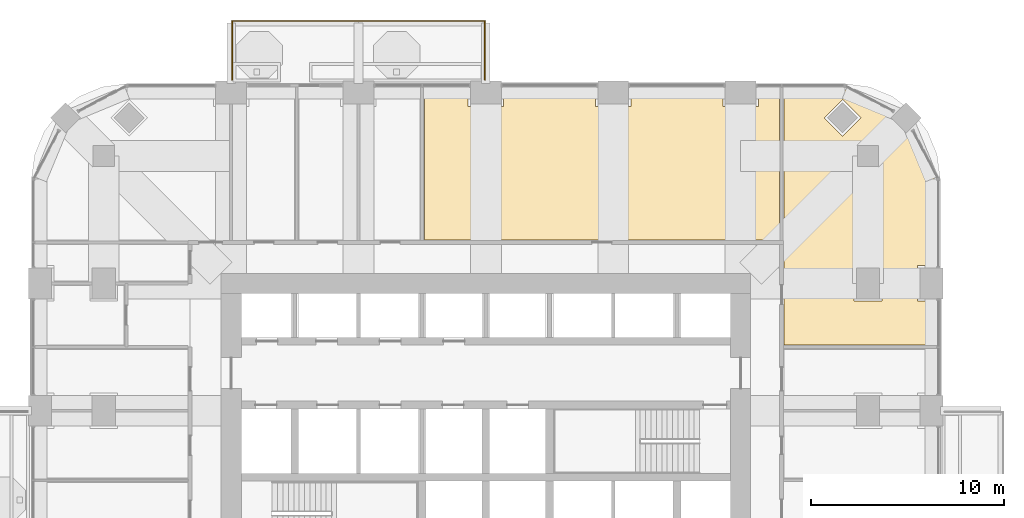
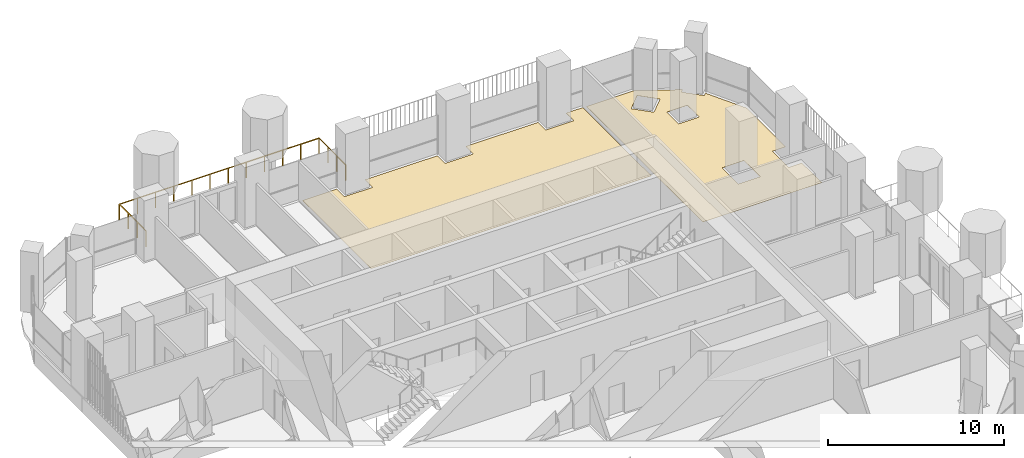
# One storey, part 19 of 20: 2 coverings, 1 railing.
"""IFC4 building model written with IfcOpenShell, lengths in metres."""

from ifc_helpers import new_model, si_unit, direction, frame, origin, place, context, subcontext, project, spatial, polyline, outline, extrude, material, layer, layer_set, type_object, element, save


model = new_model("IFC4")

# Units and contexts
model_context = context("Model", 3, precision=1e-05, world=origin(), true_north=direction((0.0, 1.0)))
body_context = subcontext(model_context, "Body", "Model", "MODEL_VIEW")
ifc_project = project(units=[si_unit("LENGTHUNIT", "METRE"), si_unit("AREAUNIT", "SQUARE_METRE"), si_unit("VOLUMEUNIT", "CUBIC_METRE"), si_unit("PLANEANGLEUNIT", "RADIAN"), si_unit("MASSUNIT", "GRAM", prefix="KILO")], contexts=[model_context])

# Site, building, storey
site_placement = place(None, origin())
site = spatial("IfcSite", under=ifc_project, at=site_placement, CompositionType="ELEMENT")
building_placement = place(site_placement, origin())
building = spatial("IfcBuilding", under=site, at=building_placement, Name="Cobogo Forest Laboratory Tower", CompositionType="ELEMENT")
storey_placement = place(building_placement, frame((0.0, 0.0, 201.89990234375)))
storey = spatial("IfcBuildingStorey", under=building, at=storey_placement, Name="L46", CompositionType="ELEMENT", Elevation=201.89990234375)

# Railing
ifc_material_1 = material(Name="Laminated glass balustrade", Category="glass")
railing_type = type_object("IfcRailingType", Name="BG1 glass balustrade 1100", PredefinedType="GUARDRAIL", material=ifc_material_1)
railing_placement = place(storey_placement, frame((13.25, 43.550048828125, 0.0)))
element("IfcRailing", 1, at=railing_placement, inside=storey, type_object=railing_type, Name="Balcony balustrade BAL-N1 L46", PredefinedType="GUARDRAIL", context=body_context, shape_type="SweptSolid", body=[
    extrude(outline(polyline([(0.022216796875, 0.00927734375), (0.00927734375, 0.022216796875), (-0.00927734375, 0.022216796875), (-0.022216796875, 0.00927734375), (-0.022216796875, -0.00927734375), (-0.00927734375, -0.022216796875), (0.00927734375, -0.022216796875), (0.022216796875, -0.00927734375), (0.022216796875, 0.00927734375)])), frame((0.0, 0.0, 1.077880859375), z_axis=(0.0, 1.0, 0.0), x_axis=(-1.0, 0.0, 0.0)), (0.0, 0.0, 1.0), 3.050048828125),
    extrude(outline(polyline([(0.022216796875, 0.00927734375), (0.00927734375, 0.022216796875), (-0.00927734375, 0.022216796875), (-0.022216796875, 0.00927734375), (-0.022216796875, -0.00927734375), (-0.00927734375, -0.022216796875), (0.00927734375, -0.022216796875), (0.022216796875, -0.00927734375), (0.022216796875, 0.00927734375)])), frame((0.0, 3.050048828125, 1.077880859375), z_axis=(1.0, 0.0, 0.0), x_axis=(0.0, 1.0, 0.0)), (0.0, 0.0, 1.0), 13.10009765625),
    extrude(outline(polyline([(0.022216796875, 0.00927734375), (0.00927734375, 0.022216796875), (-0.00927734375, 0.022216796875), (-0.022216796875, 0.00927734375), (-0.022216796875, -0.00927734375), (-0.00927734375, -0.022216796875), (0.00927734375, -0.022216796875), (0.022216796875, -0.00927734375), (0.022216796875, 0.00927734375)])), frame((13.10009765625, 3.050048828125, 1.077880859375), z_axis=(0.0, -1.0, 0.0), x_axis=(1.0, 0.0, 0.0)), (0.0, 0.0, 1.0), 3.050048828125),
    extrude(outline(polyline([(0.019287109375, 0.008056640625), (0.008056640625, 0.019287109375), (-0.008056640625, 0.019287109375), (-0.019287109375, 0.008056640625), (-0.019287109375, -0.008056640625), (-0.008056640625, -0.019287109375), (0.008056640625, -0.019287109375), (0.019287109375, -0.008056640625), (0.019287109375, 0.008056640625)])), origin(), (0.0, 0.0, 1.0), 1.077880859375),
    extrude(outline(polyline([(0.019287109375, 0.008056640625), (0.008056640625, 0.019287109375), (-0.008056640625, 0.019287109375), (-0.019287109375, 0.008056640625), (-0.019287109375, -0.008056640625), (-0.008056640625, -0.019287109375), (0.008056640625, -0.019287109375), (0.019287109375, -0.008056640625), (0.019287109375, 0.008056640625)])), frame((0.0, 1.0166015625, 0.0)), (0.0, 0.0, 1.0), 1.077880859375),
    extrude(outline(polyline([(0.019287109375, 0.008056640625), (0.008056640625, 0.019287109375), (-0.008056640625, 0.019287109375), (-0.019287109375, 0.008056640625), (-0.019287109375, -0.008056640625), (-0.008056640625, -0.019287109375), (0.008056640625, -0.019287109375), (0.019287109375, -0.008056640625), (0.019287109375, 0.008056640625)])), frame((0.0, 2.033447265625, 0.0)), (0.0, 0.0, 1.0), 1.077880859375),
    extrude(outline(polyline([(0.019287109375, 0.008056640625), (0.008056640625, 0.019287109375), (-0.008056640625, 0.019287109375), (-0.019287109375, 0.008056640625), (-0.019287109375, -0.008056640625), (-0.008056640625, -0.019287109375), (0.008056640625, -0.019287109375), (0.019287109375, -0.008056640625), (0.019287109375, 0.008056640625)])), frame((0.0, 3.050048828125, 0.0)), (0.0, 0.0, 1.0), 1.077880859375),
    extrude(outline(polyline([(0.019287109375, 0.008056640625), (0.008056640625, 0.019287109375), (-0.008056640625, 0.019287109375), (-0.019287109375, 0.008056640625), (-0.019287109375, -0.008056640625), (-0.008056640625, -0.019287109375), (0.008056640625, -0.019287109375), (0.019287109375, -0.008056640625), (0.019287109375, 0.008056640625)])), frame((1.19091796875, 3.050048828125, 0.0)), (0.0, 0.0, 1.0), 1.077880859375),
    extrude(outline(polyline([(0.019287109375, 0.008056640625), (0.008056640625, 0.019287109375), (-0.008056640625, 0.019287109375), (-0.019287109375, 0.008056640625), (-0.019287109375, -0.008056640625), (-0.008056640625, -0.019287109375), (0.008056640625, -0.019287109375), (0.019287109375, -0.008056640625), (0.019287109375, 0.008056640625)])), frame((2.3818359375, 3.050048828125, 0.0)), (0.0, 0.0, 1.0), 1.077880859375),
    extrude(outline(polyline([(0.019287109375, 0.008056640625), (0.008056640625, 0.019287109375), (-0.008056640625, 0.019287109375), (-0.019287109375, 0.008056640625), (-0.019287109375, -0.008056640625), (-0.008056640625, -0.019287109375), (0.008056640625, -0.019287109375), (0.019287109375, -0.008056640625), (0.019287109375, 0.008056640625)])), frame((3.57275390625, 3.050048828125, 0.0)), (0.0, 0.0, 1.0), 1.077880859375),
    extrude(outline(polyline([(0.019287109375, 0.008056640625), (0.008056640625, 0.019287109375), (-0.008056640625, 0.019287109375), (-0.019287109375, 0.008056640625), (-0.019287109375, -0.008056640625), (-0.008056640625, -0.019287109375), (0.008056640625, -0.019287109375), (0.019287109375, -0.008056640625), (0.019287109375, 0.008056640625)])), frame((4.763671875, 3.050048828125, 0.0)), (0.0, 0.0, 1.0), 1.077880859375),
    extrude(outline(polyline([(0.019287109375, 0.008056640625), (0.008056640625, 0.019287109375), (-0.008056640625, 0.019287109375), (-0.019287109375, 0.008056640625), (-0.019287109375, -0.008056640625), (-0.008056640625, -0.019287109375), (0.008056640625, -0.019287109375), (0.019287109375, -0.008056640625), (0.019287109375, 0.008056640625)])), frame((5.95458984375, 3.050048828125, 0.0)), (0.0, 0.0, 1.0), 1.077880859375),
    extrude(outline(polyline([(0.019287109375, 0.008056640625), (0.008056640625, 0.019287109375), (-0.008056640625, 0.019287109375), (-0.019287109375, 0.008056640625), (-0.019287109375, -0.008056640625), (-0.008056640625, -0.019287109375), (0.008056640625, -0.019287109375), (0.019287109375, -0.008056640625), (0.019287109375, 0.008056640625)])), frame((7.1455078125, 3.050048828125, 0.0)), (0.0, 0.0, 1.0), 1.077880859375),
    extrude(outline(polyline([(0.019287109375, 0.008056640625), (0.008056640625, 0.019287109375), (-0.008056640625, 0.019287109375), (-0.019287109375, 0.008056640625), (-0.019287109375, -0.008056640625), (-0.008056640625, -0.019287109375), (0.008056640625, -0.019287109375), (0.019287109375, -0.008056640625), (0.019287109375, 0.008056640625)])), frame((8.33642578125, 3.050048828125, 0.0)), (0.0, 0.0, 1.0), 1.077880859375),
    extrude(outline(polyline([(0.019287109375, 0.008056640625), (0.008056640625, 0.019287109375), (-0.008056640625, 0.019287109375), (-0.019287109375, 0.008056640625), (-0.019287109375, -0.008056640625), (-0.008056640625, -0.019287109375), (0.008056640625, -0.019287109375), (0.019287109375, -0.008056640625), (0.019287109375, 0.008056640625)])), frame((9.52734375, 3.050048828125, 0.0)), (0.0, 0.0, 1.0), 1.077880859375),
    extrude(outline(polyline([(0.019287109375, 0.008056640625), (0.008056640625, 0.019287109375), (-0.008056640625, 0.019287109375), (-0.019287109375, 0.008056640625), (-0.019287109375, -0.008056640625), (-0.008056640625, -0.019287109375), (0.008056640625, -0.019287109375), (0.019287109375, -0.008056640625), (0.019287109375, 0.008056640625)])), frame((10.71826171875, 3.050048828125, 0.0)), (0.0, 0.0, 1.0), 1.077880859375),
    extrude(outline(polyline([(0.019287109375, 0.008056640625), (0.008056640625, 0.019287109375), (-0.008056640625, 0.019287109375), (-0.019287109375, 0.008056640625), (-0.019287109375, -0.008056640625), (-0.008056640625, -0.019287109375), (0.008056640625, -0.019287109375), (0.019287109375, -0.008056640625), (0.019287109375, 0.008056640625)])), frame((11.9091796875, 3.050048828125, 0.0)), (0.0, 0.0, 1.0), 1.077880859375),
    extrude(outline(polyline([(0.019287109375, 0.008056640625), (0.008056640625, 0.019287109375), (-0.008056640625, 0.019287109375), (-0.019287109375, 0.008056640625), (-0.019287109375, -0.008056640625), (-0.008056640625, -0.019287109375), (0.008056640625, -0.019287109375), (0.019287109375, -0.008056640625), (0.019287109375, 0.008056640625)])), frame((13.10009765625, 3.050048828125, 0.0)), (0.0, 0.0, 1.0), 1.077880859375),
    extrude(outline(polyline([(0.019287109375, 0.008056640625), (0.008056640625, 0.019287109375), (-0.008056640625, 0.019287109375), (-0.019287109375, 0.008056640625), (-0.019287109375, -0.008056640625), (-0.008056640625, -0.019287109375), (0.008056640625, -0.019287109375), (0.019287109375, -0.008056640625), (0.019287109375, 0.008056640625)])), frame((13.10009765625, 2.033447265625, 0.0)), (0.0, 0.0, 1.0), 1.077880859375),
    extrude(outline(polyline([(0.019287109375, 0.008056640625), (0.008056640625, 0.019287109375), (-0.008056640625, 0.019287109375), (-0.019287109375, 0.008056640625), (-0.019287109375, -0.008056640625), (-0.008056640625, -0.019287109375), (0.008056640625, -0.019287109375), (0.019287109375, -0.008056640625), (0.019287109375, 0.008056640625)])), frame((13.10009765625, 1.0166015625, 0.0)), (0.0, 0.0, 1.0), 1.077880859375),
    extrude(outline(polyline([(0.019287109375, 0.008056640625), (0.008056640625, 0.019287109375), (-0.008056640625, 0.019287109375), (-0.019287109375, 0.008056640625), (-0.019287109375, -0.008056640625), (-0.008056640625, -0.019287109375), (0.008056640625, -0.019287109375), (0.019287109375, -0.008056640625), (0.019287109375, 0.008056640625)])), frame((13.10009765625, 0.0, 0.0)), (0.0, 0.0, 1.0), 1.077880859375),
])

# Coverings
ifc_material_2 = material(Name="Carpet tile on raised access floor", Category="flooring")
ifc_layer = layer(ifc_material_2, 0.008056640625)
ifc_layer_set = layer_set([ifc_layer], Name="CT1 carpet tile floor 8")
covering_type = type_object("IfcCoveringType", Name="CT1 carpet tile floor 8", PredefinedType="FLOORING", material=ifc_layer_set)
covering_1_placement = place(storey_placement, origin())
element("IfcCovering", 2, at=covering_1_placement, inside=storey, type_object=covering_type, Name="Carpet floor L46-08", PredefinedType="FLOORING", context=body_context, shape_type="SweptSolid", body=[
    extrude(outline(polyline([(41.844970703125, 43.050048828125), (44.95068359375, 43.050048828125), (47.412109375, 41.759765625), (47.234375, 41.58203125), (48.181884765625, 40.634521484375), (48.359619140625, 40.812255859375), (49.64990234375, 38.350830078125), (49.64990234375, 33.919921875), (48.780029296875, 33.919921875), (48.780029296875, 32.080078125), (49.64990234375, 32.080078125), (49.64990234375, 29.820068359375), (41.844970703125, 29.820068359375), (41.844970703125, 43.050048828125)]), holes=[polyline([(46.919921875, 32.080078125), (46.919921875, 33.919921875), (45.47998046875, 33.919921875), (45.47998046875, 32.080078125), (46.919921875, 32.080078125)]), polyline([(45.530029296875, 40.27001953125), (45.530029296875, 38.929931640625), (46.8701171875, 38.929931640625), (46.8701171875, 40.27001953125), (45.530029296875, 40.27001953125)]), polyline([(44.882080078125, 40.634521484375), (45.82958984375, 41.58203125), (44.882080078125, 42.529541015625), (43.9345703125, 41.58203125), (44.882080078125, 40.634521484375)])]), origin(), (0.0, 0.0, 1.0), 0.008056640625),
])
covering_2_placement = place(storey_placement, origin())
element("IfcCovering", 3, at=covering_2_placement, inside=storey, type_object=covering_type, Name="Carpet floor L46-13", PredefinedType="FLOORING", context=body_context, shape_type="SweptSolid", body=[
    extrude(outline(polyline([(23.219970703125, 35.2451171875), (23.219970703125, 43.050048828125), (25.47998046875, 43.050048828125), (25.47998046875, 42.179931640625), (27.320068359375, 42.179931640625), (27.320068359375, 43.050048828125), (32.080078125, 43.050048828125), (32.080078125, 42.179931640625), (33.919921875, 42.179931640625), (33.919921875, 43.050048828125), (38.679931640625, 43.050048828125), (38.679931640625, 42.179931640625), (40.52001953125, 42.179931640625), (40.52001953125, 43.050048828125), (41.60498046875, 43.050048828125), (41.60498046875, 35.2451171875), (23.219970703125, 35.2451171875)])), origin(), (0.0, 0.0, 1.0), 0.008056640625),
])

save(model, "model.ifc")
